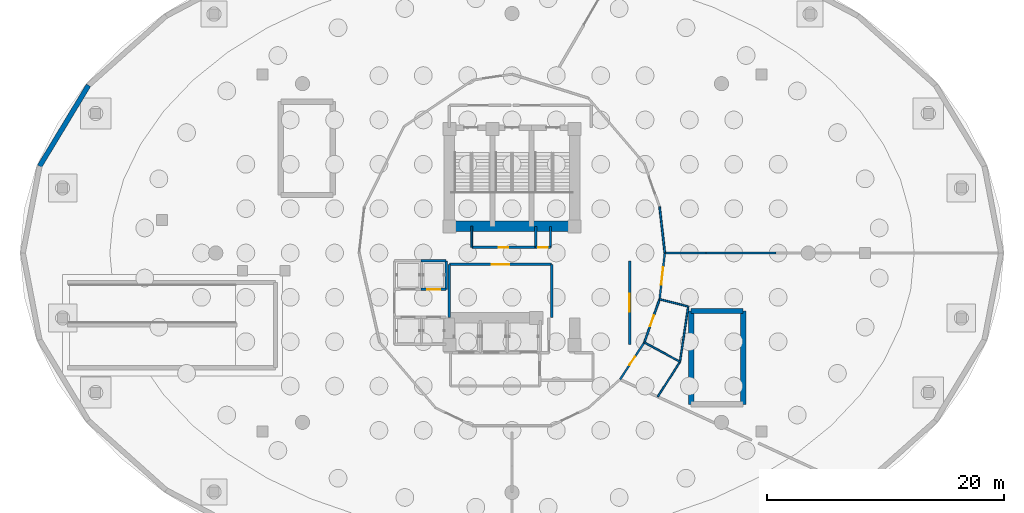
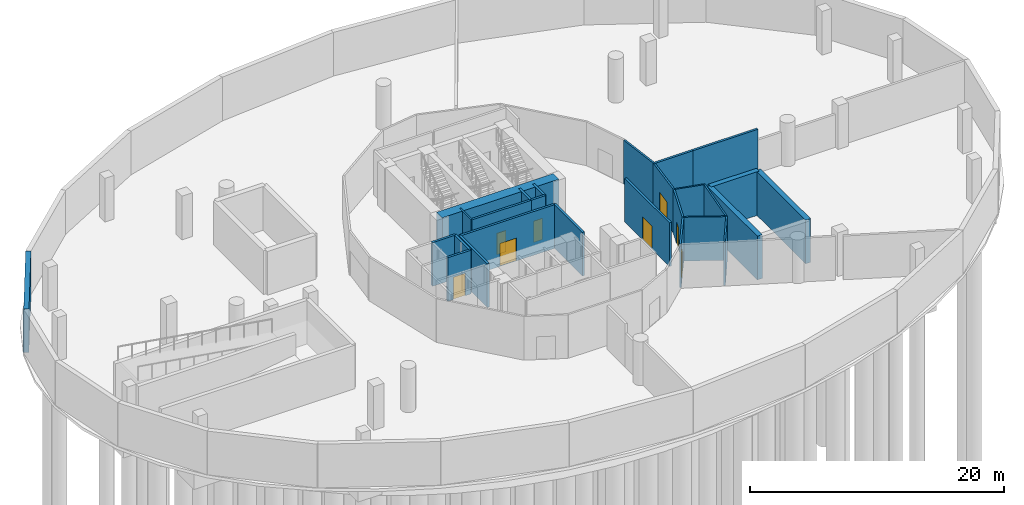
# One storey, part 4 of 9: 27 walls, 8 doors, 8 openings.
"""IFC4 building model written with IfcOpenShell, lengths in metres."""

from ifc_helpers import new_model, si_unit, direction, frame, frame_2d, origin, place, context, subcontext, project, spatial, rectangle, extrude, material, layer, layer_set, type_object, element, fill, save


model = new_model("IFC4")

# Units and contexts
model_context = context("Model", 3, precision=1e-05, world=origin(), true_north=direction((0.0, 1.0)))
body_context = subcontext(model_context, "Body", "Model", "MODEL_VIEW")
ifc_project = project(units=[si_unit("LENGTHUNIT", "METRE"), si_unit("AREAUNIT", "SQUARE_METRE"), si_unit("VOLUMEUNIT", "CUBIC_METRE"), si_unit("PLANEANGLEUNIT", "RADIAN"), si_unit("MASSUNIT", "GRAM", prefix="KILO")], contexts=[model_context])

# Site, building, storey
site_placement = place(None, origin())
site = spatial("IfcSite", under=ifc_project, at=site_placement, CompositionType="ELEMENT")
building_placement = place(site_placement, origin())
building = spatial("IfcBuilding", under=site, at=building_placement, Name="Nuhasar Tower", CompositionType="ELEMENT")
storey_placement = place(building_placement, frame((0.0, 0.0, -9.0)))
storey = spatial("IfcBuildingStorey", under=building, at=storey_placement, Name="B2", CompositionType="ELEMENT", Elevation=-9.0)

# Walls
ifc_material_1 = material(Name="Concrete C50/60", Category="concrete")
ifc_layer_1 = layer(ifc_material_1, 0.449951171875)
ifc_layer_set_1 = layer_set([ifc_layer_1], Name="Concrete C50/60")
wall_type_1 = type_object("IfcWallType", Name="WL-CORE-450", PredefinedType="SHEAR", material=ifc_layer_set_1)
wall_1_placement = place(storey_placement, frame((54.14990234375, 21.89990234375, 0.0), z_axis=(0.0, 0.0, 1.0), x_axis=(1.0, 0.0, 0.0)))
element("IfcWall", 1, at=wall_1_placement, inside=storey, type_object=wall_type_1, Name="B2 Stairwell Shear Wall ST-05-N", PredefinedType="SHEAR", context=body_context, shape_type="SweptSolid", body=[
    extrude(rectangle(XDim=4.400146484375, YDim=0.449951171875, at=frame_2d((2.2001953125, 0.0))), origin(), (0.0, 0.0, 1.0), 4.199951171875),
])
for number, where, z_axis, x_axis, name in (
    (2, (54.14990234375, 14.0, 0.0), (0.0, 0.0, 1.0), (0.0, 1.0, 0.0), "B2 Stairwell Shear Wall ST-05-W"),
    (3, (58.550048828125, 14.0, 0.0), (0.0, 0.0, 1.0), (0.0, 1.0, 0.0), "B2 Stairwell Shear Wall ST-05-E"),
):
    element("IfcWall", number, at=place(storey_placement, frame(where, z_axis=z_axis, x_axis=x_axis)), inside=storey, type_object=wall_type_1, Name=name, PredefinedType="SHEAR", context=body_context, shape_type="SweptSolid", body=[
        extrude(rectangle(XDim=7.89990234375, YDim=0.449951171875, at=frame_2d((3.949951171875, 0.0))), origin(), (0.0, 0.0, 1.0), 4.199951171875),
    ])
ifc_material_2 = material(Name="Concrete C80/95", Category="concrete")
ifc_layer_2 = layer(ifc_material_2, 0.89990234375)
ifc_layer_set_2 = layer_set([ifc_layer_2], Name="Concrete C80/95")
wall_type_2 = type_object("IfcWallType", Name="WL-CORE-900", PredefinedType="SHEAR", material=ifc_layer_set_2)
wall_2_placement = place(storey_placement, frame((33.699951171875, 29.050048828125, 0.0), z_axis=(0.0, 0.0, 1.0), x_axis=(1.0, 0.0, 0.0)))
element("IfcWall", 4, at=wall_2_placement, inside=storey, type_object=wall_type_2, Name="B2 Core Shear Wall CW-N1 CW-900", PredefinedType="SHEAR", context=body_context, shape_type="SweptSolid", body=[
    extrude(rectangle(XDim=10.60009765625, YDim=0.89990234375, at=frame_2d((5.300048828125, 0.0))), origin(), (0.0, 0.0, 1.0), 4.199951171875),
])
ifc_material_3 = material(Name="Gypsum Board", Category="gypsum")
ifc_layer_3 = layer(ifc_material_3, 0.159912109375)
ifc_layer_set_3 = layer_set([ifc_layer_3], Name="Gypsum Board")
wall_type_3 = type_object("IfcWallType", Name="WL-CORR-160", PredefinedType="PARTITIONING", material=ifc_layer_set_3)
wall_3_placement = place(storey_placement, frame((51.919921875, 26.800048828125, 0.0), z_axis=(0.0, 0.0, 1.0), x_axis=(-0.111731247657, 0.993738460711, 0.0)))
element("IfcWall", 5, at=wall_3_placement, inside=storey, type_object=wall_type_3, Name="B2 Interior Partition CORR-00", PredefinedType="PARTITIONING", context=body_context, shape_type="SweptSolid", body=[
    extrude(rectangle(XDim=3.9375, YDim=0.159912109375, at=frame_2d((1.96875, 0.0))), origin(), (0.0, 0.0, 1.0), 4.199951171875),
])

# Wall, opening, door
wall_4_placement = place(storey_placement, frame((50.18896484375, 19.239990234375, 0.0), z_axis=(0.0, 0.0, 1.0), x_axis=(-0.548318837904, -0.836269365694, 0.0)))
wall_4 = element("IfcWall", 6, at=wall_4_placement, inside=storey, type_object=wall_type_3, Name="B2 Interior Partition CORR-42", PredefinedType="PARTITIONING", context=body_context, shape_type="SweptSolid", body=[
    extrude(rectangle(XDim=3.744140625, YDim=0.159912109375, at=frame_2d((1.8720703125, 0.0))), origin(), (0.0, 0.0, 1.0), 4.199951171875),
])
opening_1_placement = place(wall_4_placement, frame((1.447021484375, 0.0, 0.0)))
opening_1 = element("IfcOpeningElement", 7, at=opening_1_placement, cuts=wall_4, Name="Opening DB-01", PredefinedType="OPENING", context=body_context, shape_type="SweptSolid", body=[
    extrude(rectangle(XDim=0.85009765625, YDim=2.10009765625, at=frame_2d((0.425048828125, 1.050048828125))), frame((0.0, 0.08984375, 0.0), z_axis=(0.0, -1.0, 0.0), x_axis=(1.0, 0.0, 0.0)), (0.0, 0.0, 1.0), 0.179931640625),
])
ifc_material_4 = material(Name="Timber Oak", Category="wood")
door_type_1 = type_object("IfcDoorType", Name="DR-BATH-850", OperationType="NOTDEFINED", PredefinedType="DOOR", material=ifc_material_4)
door_1_placement = place(opening_1_placement, origin())
door_1 = element("IfcDoor", 8, at=door_1_placement, inside=storey, type_object=door_type_1, Name="B2 Staff Restroom Door", OperationType="SINGLE_SWING_RIGHT", OverallHeight=2.10009765625, OverallWidth=0.85009765625, PredefinedType="DOOR", context=body_context, shape_type="SweptSolid", body=[
    extrude(rectangle(XDim=0.85009765625, YDim=2.10009765625, at=frame_2d((0.425048828125, 1.050048828125))), frame((0.0, 0.02490234375, 0.0), z_axis=(0.0, -1.0, 0.0), x_axis=(1.0, 0.0, 0.0)), (0.0, 0.0, 1.0), 0.050048828125),
])
fill(opening_1, door_1)

wall_5_placement = place(storey_placement, frame((51.47998046875, 22.886962890625, 0.0), z_axis=(0.0, 0.0, 1.0), x_axis=(-0.333704620558, -0.942677689467, 0.0)))
wall_5 = element("IfcWall", 9, at=wall_5_placement, inside=storey, type_object=wall_type_3, Name="B2 Interior Partition CORR-44", PredefinedType="PARTITIONING", context=body_context, shape_type="SweptSolid", body=[
    extrude(rectangle(XDim=3.86865234375, YDim=0.159912109375, at=frame_2d((1.934326171875, 0.0))), origin(), (0.0, 0.0, 1.0), 4.199951171875),
])
opening_2_placement = place(wall_5_placement, frame((1.458984375, 0.0, 0.0)))
opening_2 = element("IfcOpeningElement", 10, at=opening_2_placement, cuts=wall_5, Name="Opening DA-01", PredefinedType="OPENING", context=body_context, shape_type="SweptSolid", body=[
    extrude(rectangle(XDim=0.949951171875, YDim=2.10009765625, at=frame_2d((0.47509765625, 1.050048828125))), frame((0.0, 0.08984375, 0.0), z_axis=(0.0, -1.0, 0.0), x_axis=(1.0, 0.0, 0.0)), (0.0, 0.0, 1.0), 0.179931640625),
])
door_type_2 = type_object("IfcDoorType", Name="DR-ACCWC-950", OperationType="NOTDEFINED", PredefinedType="DOOR", material=ifc_material_4)
door_2_placement = place(opening_2_placement, origin())
door_2 = element("IfcDoor", 11, at=door_2_placement, inside=storey, type_object=door_type_2, Name="B2 Staff Accessible WC Door", OperationType="SINGLE_SWING_LEFT", OverallHeight=2.10009765625, OverallWidth=0.949951171875, PredefinedType="DOOR", context=body_context, shape_type="SweptSolid", body=[
    extrude(rectangle(XDim=0.949951171875, YDim=2.10009765625, at=frame_2d((0.47509765625, 1.050048828125))), frame((0.0, 0.02490234375, 0.0), z_axis=(0.0, -1.0, 0.0), x_axis=(1.0, 0.0, 0.0)), (0.0, 0.0, 1.0), 0.050048828125),
])
fill(opening_2, door_2)

wall_6_placement = place(storey_placement, frame((51.919921875, 26.800048828125, 0.0), z_axis=(0.0, 0.0, 1.0), x_axis=(-0.111724363671, -0.99373923469, 0.0)))
wall_6 = element("IfcWall", 12, at=wall_6_placement, inside=storey, type_object=wall_type_3, Name="B2 Interior Partition CORR-46", PredefinedType="PARTITIONING", context=body_context, shape_type="SweptSolid", body=[
    extrude(rectangle(XDim=3.937744140625, YDim=0.159912109375, at=frame_2d((1.96875, 0.0))), origin(), (0.0, 0.0, 1.0), 4.199951171875),
])
opening_3_placement = place(wall_6_placement, frame((1.218994140625, 0.0, 0.0)))
opening_3 = element("IfcOpeningElement", 13, at=opening_3_placement, cuts=wall_6, Name="Opening DP-01", PredefinedType="OPENING", context=body_context, shape_type="SweptSolid", body=[
    extrude(rectangle(XDim=1.5, YDim=2.199951171875, at=frame_2d((0.75, 1.10009765625))), frame((0.0, 0.08984375, 0.0), z_axis=(0.0, -1.0, 0.0), x_axis=(1.0, 0.0, 0.0)), (0.0, 0.0, 1.0), 0.179931640625),
])
ifc_material_5 = material(Name="Steel S355", Category="steel")
door_type_3 = type_object("IfcDoorType", Name="DR-PLANT-FD120-1500", OperationType="DOUBLE_DOOR_SINGLE_SWING", PredefinedType="DOOR", material=ifc_material_5)
door_3_placement = place(opening_3_placement, origin())
door_3 = element("IfcDoor", 14, at=door_3_placement, inside=storey, type_object=door_type_3, Name="B2 Cycle Mobility Store Door", OperationType="DOUBLE_DOOR_SINGLE_SWING", OverallHeight=2.199951171875, OverallWidth=1.5, PredefinedType="DOOR", context=body_context, shape_type="SweptSolid", body=[
    extrude(rectangle(XDim=1.5, YDim=2.199951171875, at=frame_2d((0.75, 1.10009765625))), frame((0.0, 0.02490234375, 0.0), z_axis=(0.0, -1.0, 0.0), x_axis=(1.0, 0.0, 0.0)), (0.0, 0.0, 1.0), 0.050048828125),
])
fill(opening_3, door_3)

# Wall
ifc_layer_4 = layer(ifc_material_1, 0.419921875)
ifc_layer_set_4 = layer_set([ifc_layer_4], Name="Concrete C50/60")
wall_type_4 = type_object("IfcWallType", Name="WL-DIAPH-420", PredefinedType="SHEAR", material=ifc_layer_set_4)
wall_7_placement = place(storey_placement, frame((3.18994140625, 40.97509765625, 0.0), z_axis=(0.0, 0.0, 1.0), x_axis=(-0.517122636798, -0.85591131463, 0.0)))
element("IfcWall", 15, at=wall_7_placement, inside=storey, type_object=wall_type_4, Name="B2 Perimeter Diaphragm Retaining Wall 11 DW-420", PredefinedType="SHEAR", context=body_context, shape_type="SweptSolid", body=[
    extrude(rectangle(XDim=7.98828125, YDim=0.419921875, at=frame_2d((3.994140625, 0.0))), origin(), (0.0, 0.0, 1.0), 4.199951171875),
])

# Wall, opening, door
ifc_material_6 = material(Name="Concrete C45/55", Category="concrete")
ifc_layer_5 = layer(ifc_material_6, 0.199951171875)
ifc_layer_set_5 = layer_set([ifc_layer_5], Name="Concrete C45/55")
wall_type_5 = type_object("IfcWallType", Name="WL-LOBBY-200", PredefinedType="SOLIDWALL", material=ifc_layer_set_5)
wall_8_placement = place(storey_placement, frame((48.949951171875, 19.050048828125, 0.0), z_axis=(0.0, 0.0, 1.0), x_axis=(0.0, 1.0, 0.0)))
wall_8 = element("IfcWall", 16, at=wall_8_placement, inside=storey, type_object=wall_type_5, Name="B2 Interior Partition MEP-BE-E", PredefinedType="SOLIDWALL", context=body_context, shape_type="SweptSolid", body=[
    extrude(rectangle(XDim=7.070068359375, YDim=0.199951171875, at=frame_2d((3.53515625, 0.0))), origin(), (0.0, 0.0, 1.0), 4.199951171875),
])
opening_4_placement = place(wall_8_placement, frame((2.784912109375, 0.0, 0.0)))
opening_4 = element("IfcOpeningElement", 17, at=opening_4_placement, cuts=wall_8, Name="Opening DP-01", PredefinedType="OPENING", context=body_context, shape_type="SweptSolid", body=[
    extrude(rectangle(XDim=1.5, YDim=2.199951171875, at=frame_2d((0.75, 1.10009765625))), frame((0.0, 0.10986328125, 0.0), z_axis=(0.0, -1.0, 0.0), x_axis=(1.0, 0.0, 0.0)), (0.0, 0.0, 1.0), 0.219970703125),
])
door_4_placement = place(opening_4_placement, origin())
door_4 = element("IfcDoor", 18, at=door_4_placement, inside=storey, type_object=door_type_3, Name="B2 Pump Room Door", OperationType="DOUBLE_DOOR_SINGLE_SWING", OverallHeight=2.199951171875, OverallWidth=1.5, PredefinedType="DOOR", context=body_context, shape_type="SweptSolid", body=[
    extrude(rectangle(XDim=1.5, YDim=2.199951171875, at=frame_2d((0.75, 1.10009765625))), frame((0.0, 0.02490234375, 0.0), z_axis=(0.0, -1.0, 0.0), x_axis=(1.0, 0.0, 0.0)), (0.0, 0.0, 1.0), 0.050048828125),
])
fill(opening_4, door_4)

# Walls
for number, where, z_axis, x_axis, name in (
    (19, (33.699951171875, 21.35009765625, 0.0), (0.0, 0.0, 1.0), (0.0, 1.0, 0.0), "B2 Interior Partition BSVC-W"),
    (20, (42.35009765625, 21.35009765625, 0.0), (0.0, 0.0, 1.0), (0.0, 1.0, 0.0), "B2 Interior Partition BSVC-E"),
):
    element("IfcWall", number, at=place(storey_placement, frame(where, z_axis=z_axis, x_axis=x_axis)), inside=storey, type_object=wall_type_5, Name=name, PredefinedType="SOLIDWALL", context=body_context, shape_type="SweptSolid", body=[
        extrude(rectangle(XDim=4.489990234375, YDim=0.199951171875, at=frame_2d((2.2451171875, 0.0))), origin(), (0.0, 0.0, 1.0), 4.199951171875),
    ])

# Wall, opening, door
wall_9_placement = place(storey_placement, frame((42.35009765625, 25.840087890625, 0.0), z_axis=(0.0, 0.0, 1.0), x_axis=(-1.0, 0.0, 0.0)))
wall_9 = element("IfcWall", 21, at=wall_9_placement, inside=storey, type_object=wall_type_5, Name="B2 Interior Partition BSVC-N", PredefinedType="SOLIDWALL", context=body_context, shape_type="SweptSolid", body=[
    extrude(rectangle(XDim=8.650146484375, YDim=0.199951171875, at=frame_2d((4.3251953125, 0.0))), origin(), (0.0, 0.0, 1.0), 4.199951171875),
])
opening_5_placement = place(wall_9_placement, frame((3.574951171875, 0.0, 0.0)))
opening_5 = element("IfcOpeningElement", 22, at=opening_5_placement, cuts=wall_9, Name="Opening DP-01", PredefinedType="OPENING", context=body_context, shape_type="SweptSolid", body=[
    extrude(rectangle(XDim=1.5, YDim=2.199951171875, at=frame_2d((0.75, 1.10009765625))), frame((0.0, 0.10986328125, 0.0), z_axis=(0.0, -1.0, 0.0), x_axis=(1.0, 0.0, 0.0)), (0.0, 0.0, 1.0), 0.219970703125),
])
door_5_placement = place(opening_5_placement, origin())
door_5 = element("IfcDoor", 23, at=door_5_placement, inside=storey, type_object=door_type_3, Name="B2 Switchroom Door", OperationType="DOUBLE_DOOR_SINGLE_SWING", OverallHeight=2.199951171875, OverallWidth=1.5, PredefinedType="DOOR", context=body_context, shape_type="SweptSolid", body=[
    extrude(rectangle(XDim=1.5, YDim=2.199951171875, at=frame_2d((0.75, 1.10009765625))), frame((0.0, 0.02490234375, 0.0), z_axis=(0.0, -1.0, 0.0), x_axis=(1.0, 0.0, 0.0)), (0.0, 0.0, 1.0), 0.050048828125),
])
fill(opening_5, door_5)

wall_10_placement = place(storey_placement, frame((35.60009765625, 27.280029296875, 0.0), z_axis=(0.0, 0.0, 1.0), x_axis=(1.0, 0.0, 0.0)))
wall_10 = element("IfcWall", 24, at=wall_10_placement, inside=storey, type_object=wall_type_5, Name="B2 Interior Partition BSVN-S", PredefinedType="SOLIDWALL", context=body_context, shape_type="SweptSolid", body=[
    extrude(rectangle(XDim=5.39990234375, YDim=0.199951171875, at=frame_2d((2.699951171875, 0.0))), origin(), (0.0, 0.0, 1.0), 4.199951171875),
])
opening_6_placement = place(wall_10_placement, frame((2.300048828125, 0.0, 0.0)))
opening_6 = element("IfcOpeningElement", 25, at=opening_6_placement, cuts=wall_10, Name="Opening DM-01", PredefinedType="OPENING", context=body_context, shape_type="SweptSolid", body=[
    extrude(rectangle(XDim=0.800048828125, YDim=2.050048828125, at=frame_2d((0.39990234375, 1.02490234375))), frame((0.0, 0.10986328125, 0.0), z_axis=(0.0, -1.0, 0.0), x_axis=(1.0, 0.0, 0.0)), (0.0, 0.0, 1.0), 0.219970703125),
])
door_type_4 = type_object("IfcDoorType", Name="DR-RISER-FD60-800", OperationType="NOTDEFINED", PredefinedType="DOOR", material=ifc_material_5)
door_6_placement = place(opening_6_placement, origin())
door_6 = element("IfcDoor", 26, at=door_6_placement, inside=storey, type_object=door_type_4, Name="B2 Meter Riser Door", OperationType="SINGLE_SWING_LEFT", OverallHeight=2.050048828125, OverallWidth=0.800048828125, PredefinedType="DOOR", context=body_context, shape_type="SweptSolid", body=[
    extrude(rectangle(XDim=0.800048828125, YDim=2.050048828125, at=frame_2d((0.39990234375, 1.02490234375))), frame((0.0, 0.02490234375, 0.0), z_axis=(0.0, -1.0, 0.0), x_axis=(1.0, 0.0, 0.0)), (0.0, 0.0, 1.0), 0.050048828125),
])
fill(opening_6, door_6)

# Walls
wall_11_placement = place(storey_placement, frame((51.919921875, 26.800048828125, 0.0), z_axis=(0.0, 0.0, 1.0), x_axis=(1.0, 0.0, 0.0)))
element("IfcWall", 27, at=wall_11_placement, inside=storey, type_object=wall_type_5, Name="B2 Interior Partition BRAD-00-S1", PredefinedType="SOLIDWALL", context=body_context, shape_type="SweptSolid", body=[
    extrude(rectangle(XDim=3.47998046875, YDim=0.199951171875, at=frame_2d((1.739990234375, 0.0))), origin(), (0.0, 0.0, 1.0), 4.199951171875),
])
wall_12_placement = place(storey_placement, frame((55.39990234375, 26.800048828125, 0.0), z_axis=(0.0, 0.0, 1.0), x_axis=(1.0, 0.0, 0.0)))
element("IfcWall", 28, at=wall_12_placement, inside=storey, type_object=wall_type_5, Name="B2 Interior Partition BRAD-00-S2", PredefinedType="SOLIDWALL", context=body_context, shape_type="SweptSolid", body=[
    extrude(rectangle(XDim=5.9169921875, YDim=0.199951171875, at=frame_2d((2.95849609375, 0.0))), origin(), (0.0, 0.0, 1.0), 4.199951171875),
])
ifc_layer_6 = layer(ifc_material_6, 0.199951171875)
ifc_layer_set_6 = layer_set([ifc_layer_6], Name="Concrete C45/55")
wall_type_6 = type_object("IfcWallType", Name="WL-SHAFT-200", PredefinedType="SOLIDWALL", material=ifc_layer_set_6)
for number, where, z_axis, x_axis, name in (
    (29, (41.0, 27.280029296875, 0.0), (0.0, 0.0, 1.0), (0.0, 1.0, 0.0), "B2 Interior Partition RSRN-W"),
    (30, (42.260009765625, 27.280029296875, 0.0), (0.0, 0.0, 1.0), (0.0, 1.0, 0.0), "B2 Interior Partition RSRN-E"),
):
    element("IfcWall", number, at=place(storey_placement, frame(where, z_axis=z_axis, x_axis=x_axis)), inside=storey, type_object=wall_type_6, Name=name, PredefinedType="SOLIDWALL", context=body_context, shape_type="SweptSolid", body=[
        extrude(rectangle(XDim=1.77001953125, YDim=0.199951171875, at=frame_2d((0.885009765625, 0.0))), origin(), (0.0, 0.0, 1.0), 4.199951171875),
    ])

# Wall, opening, door
wall_13_placement = place(storey_placement, frame((41.0, 27.280029296875, 0.0), z_axis=(0.0, 0.0, 1.0), x_axis=(1.0, 0.0, 0.0)))
wall_13 = element("IfcWall", 31, at=wall_13_placement, inside=storey, type_object=wall_type_6, Name="B2 Interior Partition RSRN-S", PredefinedType="SOLIDWALL", context=body_context, shape_type="SweptSolid", body=[
    extrude(rectangle(XDim=1.260009765625, YDim=0.199951171875, at=frame_2d((0.6298828125, 0.0))), origin(), (0.0, 0.0, 1.0), 4.199951171875),
])
opening_7_placement = place(wall_13_placement, frame((0.22998046875, 0.0, 0.0)))
opening_7 = element("IfcOpeningElement", 32, at=opening_7_placement, cuts=wall_13, Name="Opening DM-01", PredefinedType="OPENING", context=body_context, shape_type="SweptSolid", body=[
    extrude(rectangle(XDim=0.800048828125, YDim=2.050048828125, at=frame_2d((0.39990234375, 1.02490234375))), frame((0.0, 0.10986328125, 0.0), z_axis=(0.0, -1.0, 0.0), x_axis=(1.0, 0.0, 0.0)), (0.0, 0.0, 1.0), 0.219970703125),
])
door_7_placement = place(opening_7_placement, origin())
door_7 = element("IfcDoor", 33, at=door_7_placement, inside=storey, type_object=door_type_4, Name="B2 North Smoke Riser Door", OperationType="SINGLE_SWING_RIGHT", OverallHeight=2.050048828125, OverallWidth=0.800048828125, PredefinedType="DOOR", context=body_context, shape_type="SweptSolid", body=[
    extrude(rectangle(XDim=0.800048828125, YDim=2.050048828125, at=frame_2d((0.39990234375, 1.02490234375))), frame((0.0, 0.02490234375, 0.0), z_axis=(0.0, -1.0, 0.0), x_axis=(1.0, 0.0, 0.0)), (0.0, 0.0, 1.0), 0.050048828125),
])
fill(opening_7, door_7)

wall_14_placement = place(storey_placement, frame((31.320068359375, 23.719970703125, 0.0), z_axis=(0.0, 0.0, 1.0), x_axis=(1.0, 0.0, 0.0)))
wall_14 = element("IfcWall", 34, at=wall_14_placement, inside=storey, type_object=wall_type_6, Name="B2 Interior Partition SHF-PL-L02-S", PredefinedType="SOLIDWALL", context=body_context, shape_type="SweptSolid", body=[
    extrude(rectangle(XDim=2.10986328125, YDim=0.199951171875, at=frame_2d((1.054931640625, 0.0))), origin(), (0.0, 0.0, 1.0), 4.199951171875),
])
opening_8_placement = place(wall_14_placement, frame((0.5048828125, 0.0, 0.0)))
opening_8 = element("IfcOpeningElement", 35, at=opening_8_placement, cuts=wall_14, Name="Opening LD-L02", PredefinedType="OPENING", context=body_context, shape_type="SweptSolid", body=[
    extrude(rectangle(XDim=1.10009765625, YDim=2.14990234375, at=frame_2d((0.550048828125, 1.074951171875))), frame((0.0, 0.10986328125, 0.0), z_axis=(0.0, -1.0, 0.0), x_axis=(1.0, 0.0, 0.0)), (0.0, 0.0, 1.0), 0.219970703125),
])
ifc_material_7 = material(Name="Stainless Steel 316L", Category="steel")
door_type_5 = type_object("IfcDoorType", Name="LD-PAX-1100", OperationType="DOUBLE_DOOR_SLIDING", PredefinedType="DOOR", material=ifc_material_7)
door_8_placement = place(opening_8_placement, origin())
door_8 = element("IfcDoor", 36, at=door_8_placement, inside=storey, type_object=door_type_5, Name="B2 Lift Landing Door PL-L02", OperationType="DOUBLE_DOOR_SLIDING", OverallHeight=2.14990234375, OverallWidth=1.10009765625, PredefinedType="DOOR", context=body_context, shape_type="SweptSolid", body=[
    extrude(rectangle(XDim=1.10009765625, YDim=2.14990234375, at=frame_2d((0.550048828125, 1.074951171875))), frame((0.0, 0.02490234375, 0.0), z_axis=(0.0, -1.0, 0.0), x_axis=(1.0, 0.0, 0.0)), (0.0, 0.0, 1.0), 0.050048828125),
])
fill(opening_8, door_8)

# Walls
wall_15_placement = place(storey_placement, frame((31.320068359375, 26.1298828125, 0.0), z_axis=(0.0, 0.0, 1.0), x_axis=(1.0, 0.0, 0.0)))
element("IfcWall", 37, at=wall_15_placement, inside=storey, type_object=wall_type_6, Name="B2 Interior Partition SHF-PL-L02-N", PredefinedType="SOLIDWALL", context=body_context, shape_type="SweptSolid", body=[
    extrude(rectangle(XDim=2.10986328125, YDim=0.199951171875, at=frame_2d((1.054931640625, 0.0))), origin(), (0.0, 0.0, 1.0), 4.199951171875),
])
wall_16_placement = place(storey_placement, frame((33.429931640625, 23.719970703125, 0.0), z_axis=(0.0, 0.0, 1.0), x_axis=(0.0, 1.0, 0.0)))
element("IfcWall", 38, at=wall_16_placement, inside=storey, type_object=wall_type_6, Name="B2 Interior Partition SHF-PL-L02-E", PredefinedType="SOLIDWALL", context=body_context, shape_type="SweptSolid", body=[
    extrude(rectangle(XDim=2.409912109375, YDim=0.199951171875, at=frame_2d((1.205078125, 0.0))), origin(), (0.0, 0.0, 1.0), 4.199951171875),
])
ifc_material_8 = material(Name="Concrete C40/50 precast", Category="concrete")
ifc_layer_7 = layer(ifc_material_8, 0.139892578125)
ifc_layer_set_7 = layer_set([ifc_layer_7], Name="Concrete C40/50 precast")
wall_type_7 = type_object("IfcWallType", Name="WL-WET-140", PredefinedType="PARTITIONING", material=ifc_layer_set_7)
wall_17_placement = place(storey_placement, frame((35.60009765625, 27.280029296875, 0.0), z_axis=(0.0, 0.0, 1.0), x_axis=(0.0, 1.0, 0.0)))
element("IfcWall", 39, at=wall_17_placement, inside=storey, type_object=wall_type_7, Name="B2 Interior Partition CSVC-W", PredefinedType="PARTITIONING", context=body_context, shape_type="SweptSolid", body=[
    extrude(rectangle(XDim=1.77001953125, YDim=0.139892578125, at=frame_2d((0.885009765625, 0.0))), origin(), (0.0, 0.0, 1.0), 4.199951171875),
])
wall_18_placement = place(storey_placement, frame((50.18896484375, 19.239990234375, 0.0), z_axis=(0.0, 0.0, 1.0), x_axis=(0.878392721738, -0.477939563541, 0.0)))
element("IfcWall", 40, at=wall_18_placement, inside=storey, type_object=wall_type_7, Name="B2 Interior Partition BWC-DIV1", PredefinedType="PARTITIONING", context=body_context, shape_type="SweptSolid", body=[
    extrude(rectangle(XDim=3.43115234375, YDim=0.139892578125, at=frame_2d((1.715576171875, 0.0))), origin(), (0.0, 0.0, 1.0), 4.199951171875),
])
wall_19_placement = place(storey_placement, frame((51.47998046875, 22.886962890625, 0.0), z_axis=(0.0, 0.0, 1.0), x_axis=(0.969564374521, -0.244836524357, 0.0)))
element("IfcWall", 41, at=wall_19_placement, inside=storey, type_object=wall_type_7, Name="B2 Interior Partition BWC-DIV2", PredefinedType="PARTITIONING", context=body_context, shape_type="SweptSolid", body=[
    extrude(rectangle(XDim=2.495849609375, YDim=0.139892578125, at=frame_2d((1.248046875, 0.0))), origin(), (0.0, 0.0, 1.0), 4.199951171875),
])
wall_20_placement = place(storey_placement, frame((51.322021484375, 14.64208984375, 0.0), z_axis=(0.0, 0.0, 1.0), x_axis=(0.53656900511, 0.84385644677, 0.0)))
element("IfcWall", 42, at=wall_20_placement, inside=storey, type_object=wall_type_7, Name="B2 Interior Partition BWC-BACK-42", PredefinedType="PARTITIONING", context=body_context, shape_type="SweptSolid", body=[
    extrude(rectangle(XDim=3.50537109375, YDim=0.139892578125, at=frame_2d((1.752685546875, 0.0))), origin(), (0.0, 0.0, 1.0), 4.199951171875),
])
wall_21_placement = place(storey_placement, frame((53.202880859375, 17.60009765625, 0.0), z_axis=(0.0, 0.0, 1.0), x_axis=(0.147441370436, 0.989070797407, 0.0)))
element("IfcWall", 43, at=wall_21_placement, inside=storey, type_object=wall_type_7, Name="B2 Interior Partition BWC-BACK-44", PredefinedType="PARTITIONING", context=body_context, shape_type="SweptSolid", body=[
    extrude(rectangle(XDim=4.7275390625, YDim=0.139892578125, at=frame_2d((2.36376953125, 0.0))), origin(), (0.0, 0.0, 1.0), 4.199951171875),
])

save(model, "model.ifc")
